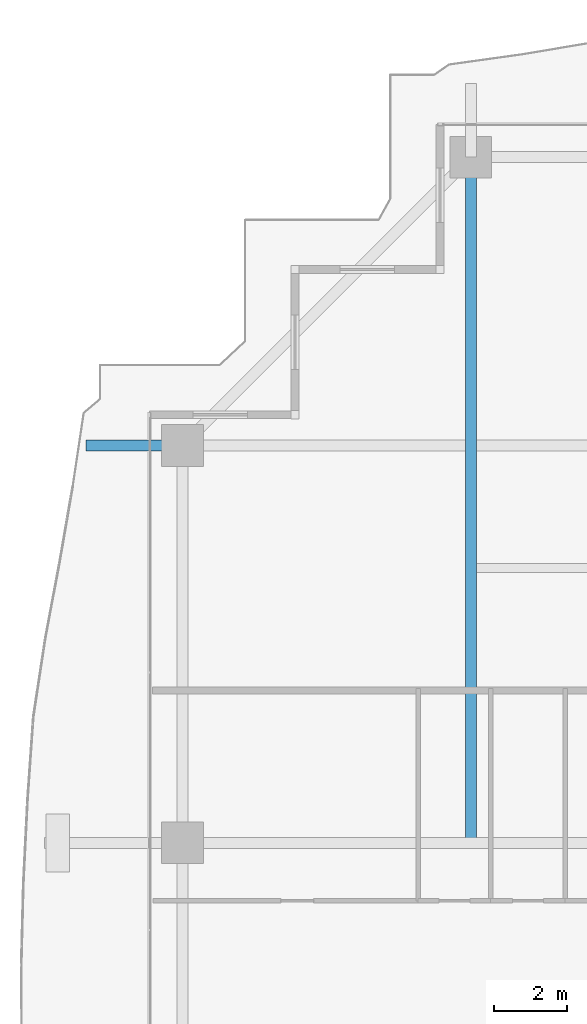
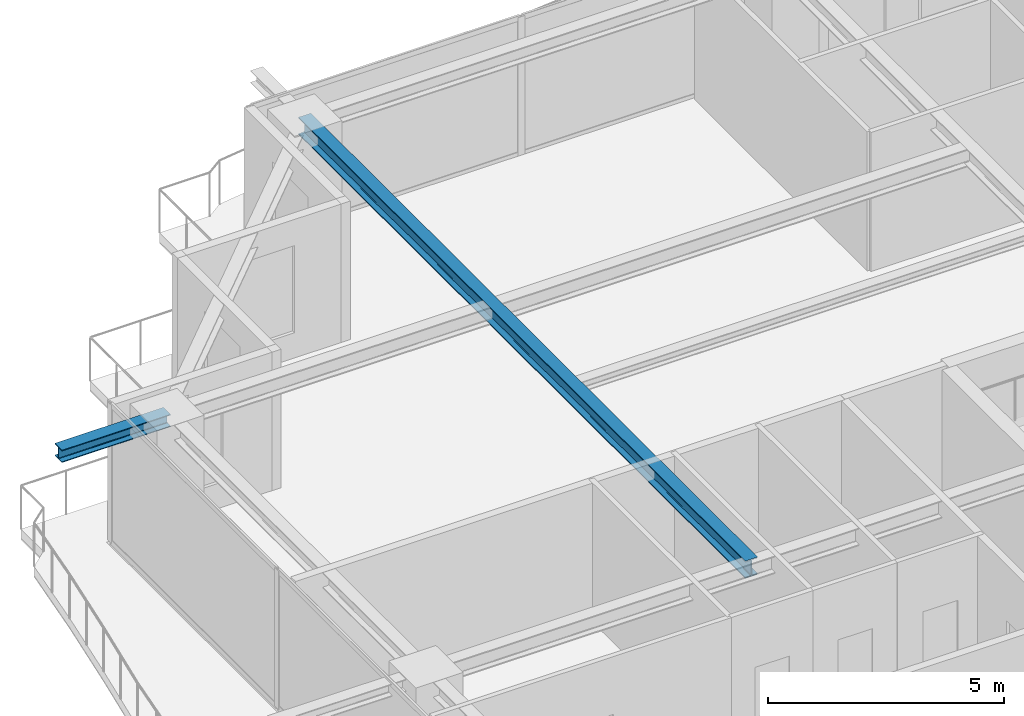
# One storey, part 18 of 38: 2 beams.
"""IFC4 building model written with IfcOpenShell, lengths in metres."""

from ifc_helpers import new_model, si_unit, direction, frame, origin, origin_2d, place, context, subcontext, project, spatial, i_section, extrude, source, transform, mapped, material, material_profile, profile_set, type_object, element, save


model = new_model("IFC4")

# Units and contexts
model_context = context("Model", 3, precision=1e-05, world=origin(), true_north=direction((0.0, 1.0)))
body_context = subcontext(model_context, "Body", "Model", "MODEL_VIEW")
ifc_project = project(units=[si_unit("LENGTHUNIT", "METRE"), si_unit("AREAUNIT", "SQUARE_METRE"), si_unit("VOLUMEUNIT", "CUBIC_METRE"), si_unit("PLANEANGLEUNIT", "RADIAN"), si_unit("MASSUNIT", "GRAM", prefix="KILO")], contexts=[model_context])

# Site, building, storey
site_placement = place(None, origin())
site = spatial("IfcSite", under=ifc_project, at=site_placement, CompositionType="ELEMENT")
building_placement = place(site_placement, origin())
building = spatial("IfcBuilding", under=site, at=building_placement, Name="Serunith Strait Residences", CompositionType="ELEMENT")
storey_placement = place(building_placement, frame((0.0, 0.0, 268.199951171875)))
storey = spatial("IfcBuildingStorey", under=building, at=storey_placement, Name="L67", CompositionType="ELEMENT", Elevation=268.199951171875)

# Beams
ifc_material = material(Name="Steel S355J2", Category="steel")
ifc_material_profile_1 = material_profile(ifc_material, i_section(OverallWidth=0.300048828125, OverallDepth=0.449951171875, WebThickness=0.013916015625, FlangeThickness=0.02587890625, FilletRadius=0.027099609375, at=origin_2d()), Name="HEB 450")
ifc_profile_set_1 = profile_set([ifc_material_profile_1], Name="Steel S355J2")
beam_type_1 = type_object("IfcBeamType", Name="BM-HEB450", PredefinedType="BEAM", material=ifc_profile_set_1)
shared_shape_1 = source(origin(), body_context, "Body", "SweptSolid", [
    extrude(i_section(OverallWidth=0.300048828125, OverallDepth=0.449951171875, WebThickness=0.013916015625, FlangeThickness=0.02587890625, FilletRadius=0.027099609375, at=origin_2d()), origin(), (0.0, 0.0, 1.0), 18.900146484375),
])
beam_1_placement = place(storey_placement, frame((16.25, 29.39990234375, 3.362060546875), z_axis=(0.0, 1.0, 0.0), x_axis=(-1.0, 0.0, 0.0)))
element("IfcBeam", 1, at=beam_1_placement, inside=storey, type_object=beam_type_1, Name="L67 Orthogonal Corner Girder TC-N1", PredefinedType="BEAM", context=body_context, shape_type="MappedRepresentation", body=[
    mapped(shared_shape_1, transform((0.0, 0.0, 0.0), scale=1.0)),
])
ifc_material_profile_2 = material_profile(ifc_material, i_section(OverallWidth=0.300048828125, OverallDepth=0.320068359375, WebThickness=0.011474609375, FlangeThickness=0.0205078125, FilletRadius=0.027099609375, at=origin_2d()), Name="HEB 320")
ifc_profile_set_2 = profile_set([ifc_material_profile_2], Name="Steel S355J2")
beam_type_2 = type_object("IfcBeamType", Name="BM-HEB320", PredefinedType="BEAM", material=ifc_profile_set_2)
shared_shape_2 = source(origin(), body_context, "Body", "SweptSolid", [
    extrude(i_section(OverallWidth=0.300048828125, OverallDepth=0.320068359375, WebThickness=0.011474609375, FlangeThickness=0.0205078125, FilletRadius=0.027099609375, at=origin_2d()), origin(), (0.0, 0.0, 1.0), 2.6552734375),
])
beam_2_placement = place(storey_placement, frame((8.300048828125, 40.35009765625, 3.39697265625), z_axis=(-1.0, 0.0, 0.0), x_axis=(0.0, -1.0, 0.0)))
element("IfcBeam", 2, at=beam_2_placement, inside=storey, type_object=beam_type_2, Name="L68 Cantilevered Balcony Rib TC-W4", PredefinedType="BEAM", context=body_context, shape_type="MappedRepresentation", body=[
    mapped(shared_shape_2, transform((0.0, 0.0, 0.0), scale=1.0)),
])

save(model, "model.ifc")
